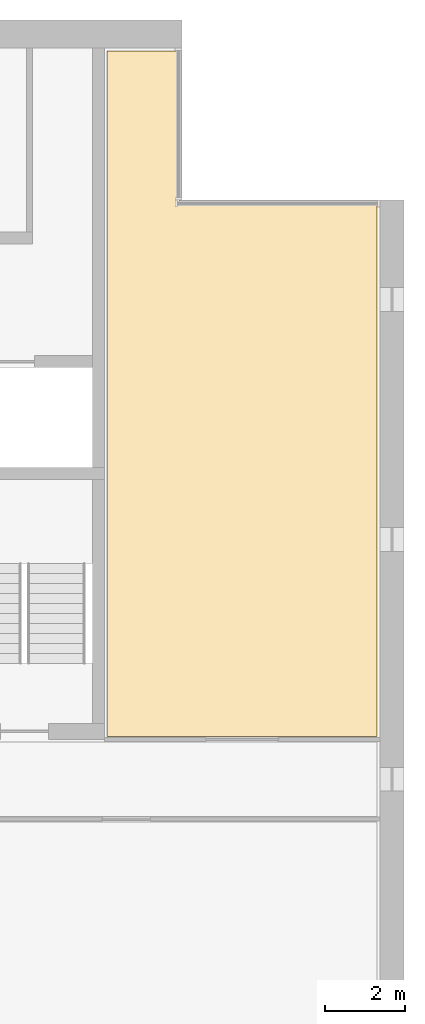
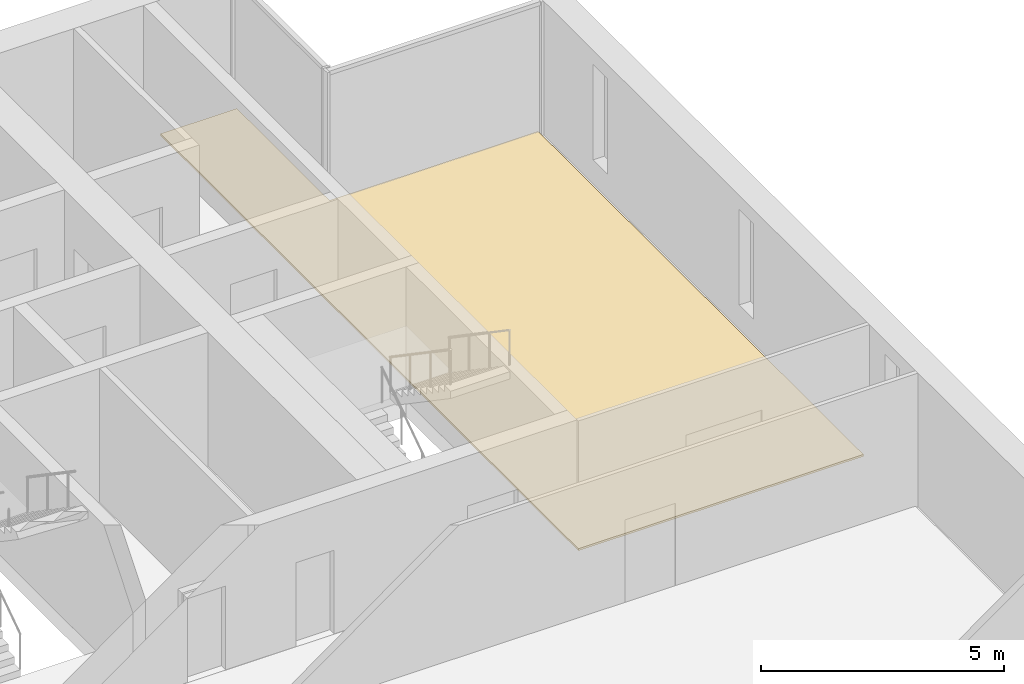
# One storey, part 17 of 17: 1 covering.
"""IFC4 building model written with IfcOpenShell, lengths in metres."""

from ifc_helpers import new_model, si_unit, direction, frame, origin, place, context, subcontext, project, spatial, polyline, outline, extrude, material, layer, layer_set, type_object, element, save


model = new_model("IFC4")

# Units and contexts
model_context = context("Model", 3, precision=1e-05, world=origin(), true_north=direction((0.0, 1.0)))
body_context = subcontext(model_context, "Body", "Model", "MODEL_VIEW")
ifc_project = project(units=[si_unit("LENGTHUNIT", "METRE"), si_unit("AREAUNIT", "SQUARE_METRE"), si_unit("VOLUMEUNIT", "CUBIC_METRE"), si_unit("PLANEANGLEUNIT", "RADIAN"), si_unit("MASSUNIT", "GRAM", prefix="KILO")], contexts=[model_context])

# Site, building, storey
site_placement = place(None, origin())
site = spatial("IfcSite", under=ifc_project, at=site_placement, CompositionType="ELEMENT")
building_placement = place(site_placement, origin())
building = spatial("IfcBuilding", under=site, at=building_placement, Name="Calvaro Tower", CompositionType="ELEMENT")
storey_placement = place(building_placement, frame((0.0, 0.0, 193.0)))
storey = spatial("IfcBuildingStorey", under=building, at=storey_placement, Name="L48", CompositionType="ELEMENT", Elevation=193.0)

# Covering
ifc_material = material(Name="Cement screed with carpet tile finish")
ifc_layer = layer(ifc_material, 0.050048828125)
ifc_layer_set = layer_set([ifc_layer], Name="Cement screed with carpet tile finish")
covering_type = type_object("IfcCoveringType", Name="Floor finish 50", PredefinedType="FLOORING", material=ifc_layer_set)
covering_placement = place(storey_placement, origin())
element("IfcCovering", 1, at=covering_placement, inside=storey, type_object=covering_type, Name="Floor finish 28.16", PredefinedType="FLOORING", context=body_context, shape_type="SweptSolid", body=[
    extrude(outline(polyline([(71.330078125, 28.070068359375), (64.570068359375, 28.070068359375), (64.570068359375, 45.22998046875), (66.3798828125, 45.22998046875), (66.3798828125, 41.429931640625), (71.330078125, 41.429931640625), (71.330078125, 28.070068359375)])), origin(), (0.0, 0.0, 1.0), 0.050048828125),
])

save(model, "model.ifc")
